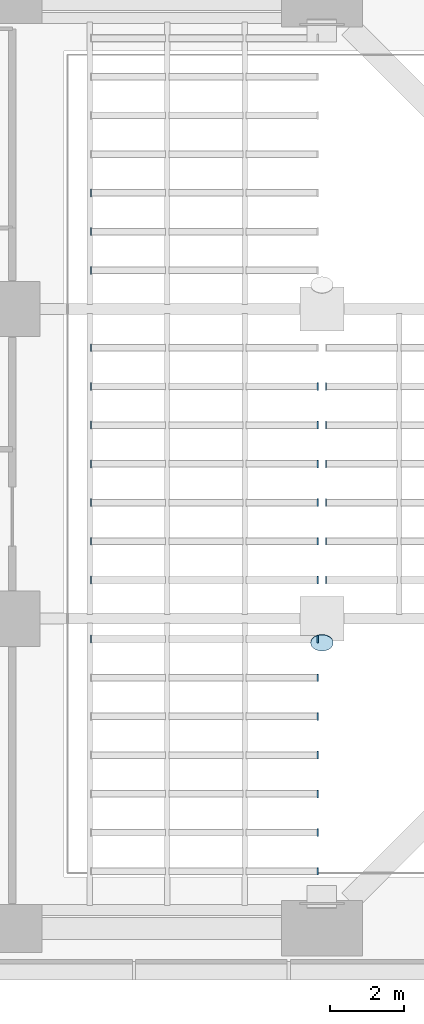
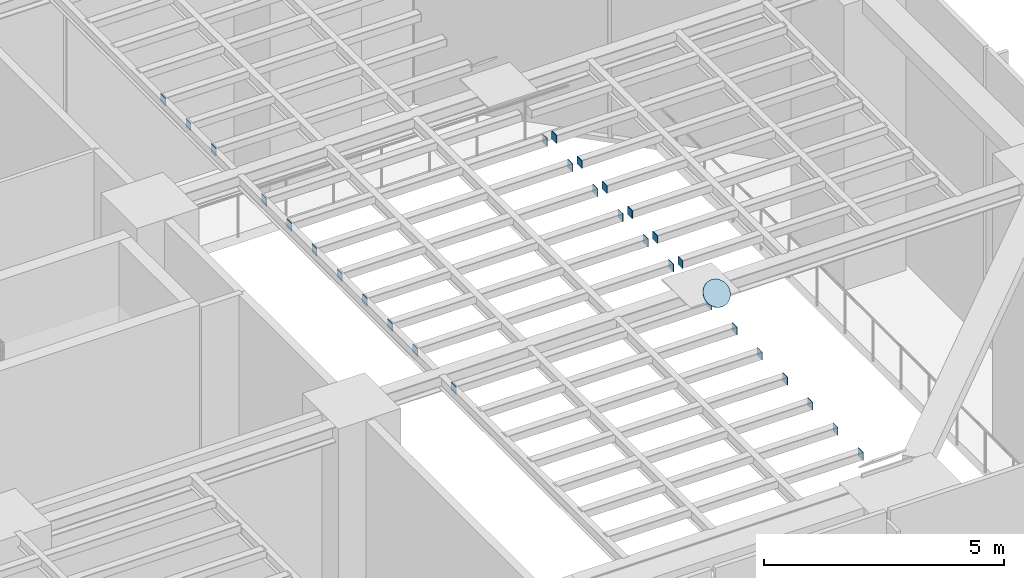
# One storey, part 10 of 22: 31 plates.
"""IFC4 building model written with IfcOpenShell, lengths in metres."""

from ifc_helpers import new_model, si_unit, direction, frame, origin, origin_2d, place, context, subcontext, project, spatial, rectangle, circle, extrude, material, material_profile, profile_set, type_object, element, save


model = new_model("IFC4")

# Units and contexts
model_context = context("Model", 3, precision=1e-05, world=origin(), true_north=direction((0.0, 1.0)))
body_context = subcontext(model_context, "Body", "Model", "MODEL_VIEW")
ifc_project = project(units=[si_unit("LENGTHUNIT", "METRE"), si_unit("AREAUNIT", "SQUARE_METRE"), si_unit("VOLUMEUNIT", "CUBIC_METRE"), si_unit("PLANEANGLEUNIT", "RADIAN"), si_unit("MASSUNIT", "GRAM", prefix="KILO")], contexts=[model_context])

# Site, building, storey
site_placement = place(None, origin())
site = spatial("IfcSite", under=ifc_project, at=site_placement, CompositionType="ELEMENT")
building_placement = place(site_placement, origin())
building = spatial("IfcBuilding", under=site, at=building_placement, Name="Brevane Broadcast Tower", CompositionType="ELEMENT")
storey_placement = place(building_placement, frame((0.0, 0.0, 20.0)))
storey = spatial("IfcBuildingStorey", under=building, at=storey_placement, Name="L03", CompositionType="ELEMENT", Elevation=20.0)

# Plates
ifc_material = material(Name="Steel S355", Category="steel")
ifc_material_profile_1 = material_profile(ifc_material, rectangle(XDim=0.199951171875, YDim=0.199951171875, at=origin_2d()), Name="PL 200x200 x 15")
ifc_profile_set_1 = profile_set([ifc_material_profile_1], Name="Steel S355")
plate_type_1 = type_object("IfcPlateType", Name="STEEL END CAP PLATE 200x200 x 15", PredefinedType="SHEET", material=ifc_profile_set_1)
for number, where, z_axis, x_axis, name in (
    (1, (58.9208984375, 9.449951171875, 7.14990234375), (-1.0, 0.0, 0.0), (0.0, -1.0, 0.0), "End cap plate EC5-73"),
    (2, (58.9208984375, 10.5, 7.14990234375), (-1.0, 0.0, 0.0), (0.0, -1.0, 0.0), "End cap plate EC5-75"),
    (3, (58.9208984375, 11.550048828125, 7.14990234375), (-1.0, 0.0, 0.0), (0.0, -1.0, 0.0), "End cap plate EC5-77"),
    (4, (58.9208984375, 12.60009765625, 7.14990234375), (-1.0, 0.0, 0.0), (0.0, -1.0, 0.0), "End cap plate EC5-79"),
    (5, (58.9208984375, 13.64990234375, 7.14990234375), (-1.0, 0.0, 0.0), (0.0, -1.0, 0.0), "End cap plate EC5-81"),
    (6, (58.9208984375, 14.699951171875, 7.14990234375), (-1.0, 0.0, 0.0), (0.0, -1.0, 0.0), "End cap plate EC5-83"),
    (7, (52.530029296875, 17.85009765625, 7.14990234375), (1.0, 0.0, 0.0), (0.0, 1.0, 0.0), "End cap plate EC5-86"),
    (8, (52.530029296875, 18.89990234375, 7.14990234375), (1.0, 0.0, 0.0), (0.0, 1.0, 0.0), "End cap plate EC5-88"),
    (9, (52.530029296875, 19.949951171875, 7.14990234375), (1.0, 0.0, 0.0), (0.0, 1.0, 0.0), "End cap plate EC5-90"),
):
    element("IfcPlate", number, at=place(storey_placement, frame(where, z_axis=z_axis, x_axis=x_axis)), inside=storey, type_object=plate_type_1, Name=name, PredefinedType="SHEET", context=body_context, shape_type="SweptSolid", body=[
        extrude(rectangle(XDim=0.199951171875, YDim=0.199951171875, at=origin_2d()), origin(), (0.0, 0.0, 1.0), 0.014892578125),
    ])
for number, where, z_axis, x_axis, name in (
    (10, (58.678955078125, 1.550048828125, 7.14990234375), (1.0, 0.0, 0.0), (0.0, 1.0, 0.0), "End cap plate EC5-101"),
    (11, (58.678955078125, 2.60009765625, 7.14990234375), (1.0, 0.0, 0.0), (0.0, 1.0, 0.0), "End cap plate EC5-103"),
    (12, (58.678955078125, 3.64990234375, 7.14990234375), (1.0, 0.0, 0.0), (0.0, 1.0, 0.0), "End cap plate EC5-105"),
    (13, (58.678955078125, 4.699951171875, 7.14990234375), (1.0, 0.0, 0.0), (0.0, 1.0, 0.0), "End cap plate EC5-107"),
    (14, (58.678955078125, 5.75, 7.14990234375), (1.0, 0.0, 0.0), (0.0, 1.0, 0.0), "End cap plate EC5-109"),
    (15, (58.678955078125, 6.800048828125, 7.14990234375), (1.0, 0.0, 0.0), (0.0, 1.0, 0.0), "End cap plate EC5-111"),
):
    element("IfcPlate", number, at=place(storey_placement, frame(where, z_axis=z_axis, x_axis=x_axis)), inside=storey, type_object=plate_type_1, Name=name, PredefinedType="SHEET", context=body_context, shape_type="SweptSolid", body=[
        extrude(rectangle(XDim=0.199951171875, YDim=0.199951171875, at=origin_2d()), origin(), (0.0, 0.0, 1.0), 0.01513671875),
    ])
plate_1_placement = place(storey_placement, frame((52.530029296875, 7.85009765625, 7.14990234375), z_axis=(1.0, 0.0, 0.0), x_axis=(0.0, 1.0, 0.0)))
element("IfcPlate", 16, at=plate_1_placement, inside=storey, type_object=plate_type_1, Name="End cap plate EC5-112", PredefinedType="SHEET", context=body_context, shape_type="SweptSolid", body=[
    extrude(rectangle(XDim=0.199951171875, YDim=0.199951171875, at=origin_2d()), origin(), (0.0, 0.0, 1.0), 0.014892578125),
])
plate_2_placement = place(storey_placement, frame((58.678955078125, 7.85009765625, 7.14990234375), z_axis=(1.0, 0.0, 0.0), x_axis=(0.0, 1.0, 0.0)))
element("IfcPlate", 17, at=plate_2_placement, inside=storey, type_object=plate_type_1, Name="End cap plate EC5-113", PredefinedType="SHEET", context=body_context, shape_type="SweptSolid", body=[
    extrude(rectangle(XDim=0.199951171875, YDim=0.199951171875, at=origin_2d()), origin(), (0.0, 0.0, 1.0), 0.01513671875),
])
for number, where, z_axis, x_axis, name in (
    (18, (52.530029296875, 9.449951171875, 7.14990234375), (1.0, 0.0, 0.0), (0.0, 1.0, 0.0), "End cap plate EC5-114"),
    (19, (52.530029296875, 12.60009765625, 7.14990234375), (1.0, 0.0, 0.0), (0.0, 1.0, 0.0), "End cap plate EC5-115"),
):
    element("IfcPlate", number, at=place(storey_placement, frame(where, z_axis=z_axis, x_axis=x_axis)), inside=storey, type_object=plate_type_1, Name=name, PredefinedType="SHEET", context=body_context, shape_type="SweptSolid", body=[
        extrude(rectangle(XDim=0.199951171875, YDim=0.199951171875, at=origin_2d()), origin(), (0.0, 0.0, 1.0), 0.014892578125),
    ])
plate_3_placement = place(storey_placement, frame((58.678955078125, 12.60009765625, 7.14990234375), z_axis=(1.0, 0.0, 0.0), x_axis=(0.0, 1.0, 0.0)))
element("IfcPlate", 20, at=plate_3_placement, inside=storey, type_object=plate_type_1, Name="End cap plate EC5-116", PredefinedType="SHEET", context=body_context, shape_type="SweptSolid", body=[
    extrude(rectangle(XDim=0.199951171875, YDim=0.199951171875, at=origin_2d()), origin(), (0.0, 0.0, 1.0), 0.01513671875),
])
plate_4_placement = place(storey_placement, frame((52.530029296875, 13.64990234375, 7.14990234375), z_axis=(1.0, 0.0, 0.0), x_axis=(0.0, 1.0, 0.0)))
element("IfcPlate", 21, at=plate_4_placement, inside=storey, type_object=plate_type_1, Name="End cap plate EC5-117", PredefinedType="SHEET", context=body_context, shape_type="SweptSolid", body=[
    extrude(rectangle(XDim=0.199951171875, YDim=0.199951171875, at=origin_2d()), origin(), (0.0, 0.0, 1.0), 0.014892578125),
])
plate_5_placement = place(storey_placement, frame((58.678955078125, 13.64990234375, 7.14990234375), z_axis=(1.0, 0.0, 0.0), x_axis=(0.0, 1.0, 0.0)))
element("IfcPlate", 22, at=plate_5_placement, inside=storey, type_object=plate_type_1, Name="End cap plate EC5-118", PredefinedType="SHEET", context=body_context, shape_type="SweptSolid", body=[
    extrude(rectangle(XDim=0.199951171875, YDim=0.199951171875, at=origin_2d()), origin(), (0.0, 0.0, 1.0), 0.01513671875),
])
plate_6_placement = place(storey_placement, frame((52.530029296875, 14.699951171875, 7.14990234375), z_axis=(1.0, 0.0, 0.0), x_axis=(0.0, 1.0, 0.0)))
element("IfcPlate", 23, at=plate_6_placement, inside=storey, type_object=plate_type_1, Name="End cap plate EC5-119", PredefinedType="SHEET", context=body_context, shape_type="SweptSolid", body=[
    extrude(rectangle(XDim=0.199951171875, YDim=0.199951171875, at=origin_2d()), origin(), (0.0, 0.0, 1.0), 0.014892578125),
])
plate_7_placement = place(storey_placement, frame((58.678955078125, 14.699951171875, 7.14990234375), z_axis=(1.0, 0.0, 0.0), x_axis=(0.0, 1.0, 0.0)))
element("IfcPlate", 24, at=plate_7_placement, inside=storey, type_object=plate_type_1, Name="End cap plate EC5-120", PredefinedType="SHEET", context=body_context, shape_type="SweptSolid", body=[
    extrude(rectangle(XDim=0.199951171875, YDim=0.199951171875, at=origin_2d()), origin(), (0.0, 0.0, 1.0), 0.01513671875),
])
plate_8_placement = place(storey_placement, frame((52.530029296875, 15.75, 7.14990234375), z_axis=(1.0, 0.0, 0.0), x_axis=(0.0, 1.0, 0.0)))
element("IfcPlate", 25, at=plate_8_placement, inside=storey, type_object=plate_type_1, Name="End cap plate EC5-121", PredefinedType="SHEET", context=body_context, shape_type="SweptSolid", body=[
    extrude(rectangle(XDim=0.199951171875, YDim=0.199951171875, at=origin_2d()), origin(), (0.0, 0.0, 1.0), 0.014892578125),
])
plate_9_placement = place(storey_placement, frame((58.678955078125, 9.449951171875, 7.14990234375), z_axis=(1.0, 0.0, 0.0), x_axis=(0.0, 1.0, 0.0)))
element("IfcPlate", 26, at=plate_9_placement, inside=storey, type_object=plate_type_1, Name="End cap plate EC5-123", PredefinedType="SHEET", context=body_context, shape_type="SweptSolid", body=[
    extrude(rectangle(XDim=0.199951171875, YDim=0.199951171875, at=origin_2d()), origin(), (0.0, 0.0, 1.0), 0.01513671875),
])
plate_10_placement = place(storey_placement, frame((52.530029296875, 10.5, 7.14990234375), z_axis=(1.0, 0.0, 0.0), x_axis=(0.0, 1.0, 0.0)))
element("IfcPlate", 27, at=plate_10_placement, inside=storey, type_object=plate_type_1, Name="End cap plate EC5-124", PredefinedType="SHEET", context=body_context, shape_type="SweptSolid", body=[
    extrude(rectangle(XDim=0.199951171875, YDim=0.199951171875, at=origin_2d()), origin(), (0.0, 0.0, 1.0), 0.014892578125),
])
plate_11_placement = place(storey_placement, frame((58.678955078125, 10.5, 7.14990234375), z_axis=(1.0, 0.0, 0.0), x_axis=(0.0, 1.0, 0.0)))
element("IfcPlate", 28, at=plate_11_placement, inside=storey, type_object=plate_type_1, Name="End cap plate EC5-125", PredefinedType="SHEET", context=body_context, shape_type="SweptSolid", body=[
    extrude(rectangle(XDim=0.199951171875, YDim=0.199951171875, at=origin_2d()), origin(), (0.0, 0.0, 1.0), 0.01513671875),
])
plate_12_placement = place(storey_placement, frame((52.530029296875, 11.550048828125, 7.14990234375), z_axis=(1.0, 0.0, 0.0), x_axis=(0.0, 1.0, 0.0)))
element("IfcPlate", 29, at=plate_12_placement, inside=storey, type_object=plate_type_1, Name="End cap plate EC5-126", PredefinedType="SHEET", context=body_context, shape_type="SweptSolid", body=[
    extrude(rectangle(XDim=0.199951171875, YDim=0.199951171875, at=origin_2d()), origin(), (0.0, 0.0, 1.0), 0.014892578125),
])
plate_13_placement = place(storey_placement, frame((58.678955078125, 11.550048828125, 7.14990234375), z_axis=(1.0, 0.0, 0.0), x_axis=(0.0, 1.0, 0.0)))
element("IfcPlate", 30, at=plate_13_placement, inside=storey, type_object=plate_type_1, Name="End cap plate EC5-127", PredefinedType="SHEET", context=body_context, shape_type="SweptSolid", body=[
    extrude(rectangle(XDim=0.199951171875, YDim=0.199951171875, at=origin_2d()), origin(), (0.0, 0.0, 1.0), 0.01513671875),
])
ifc_material_profile_2 = material_profile(ifc_material, circle(Radius=0.304931640625, at=origin_2d()), Name="PL 610 DIA x 15")
ifc_profile_set_2 = profile_set([ifc_material_profile_2], Name="Steel S355")
plate_type_2 = type_object("IfcPlateType", Name="STEEL END CAP PLATE 610 DIA x 15", PredefinedType="SHEET", material=ifc_profile_set_2)
plate_14_placement = place(storey_placement, frame((58.800048828125, 7.754150390625, 7.43115234375), z_axis=(0.0, -0.698932947801, 0.715187202401), x_axis=(1.0, 0.0, 0.0)))
element("IfcPlate", 31, at=plate_14_placement, inside=storey, type_object=plate_type_2, Name="End cap plate EC6-129", PredefinedType="SHEET", context=body_context, shape_type="SweptSolid", body=[
    extrude(circle(Radius=0.304931640625, at=origin_2d()), origin(), (0.0, 0.0, 1.0), 0.01513671875),
])

save(model, "model.ifc")
